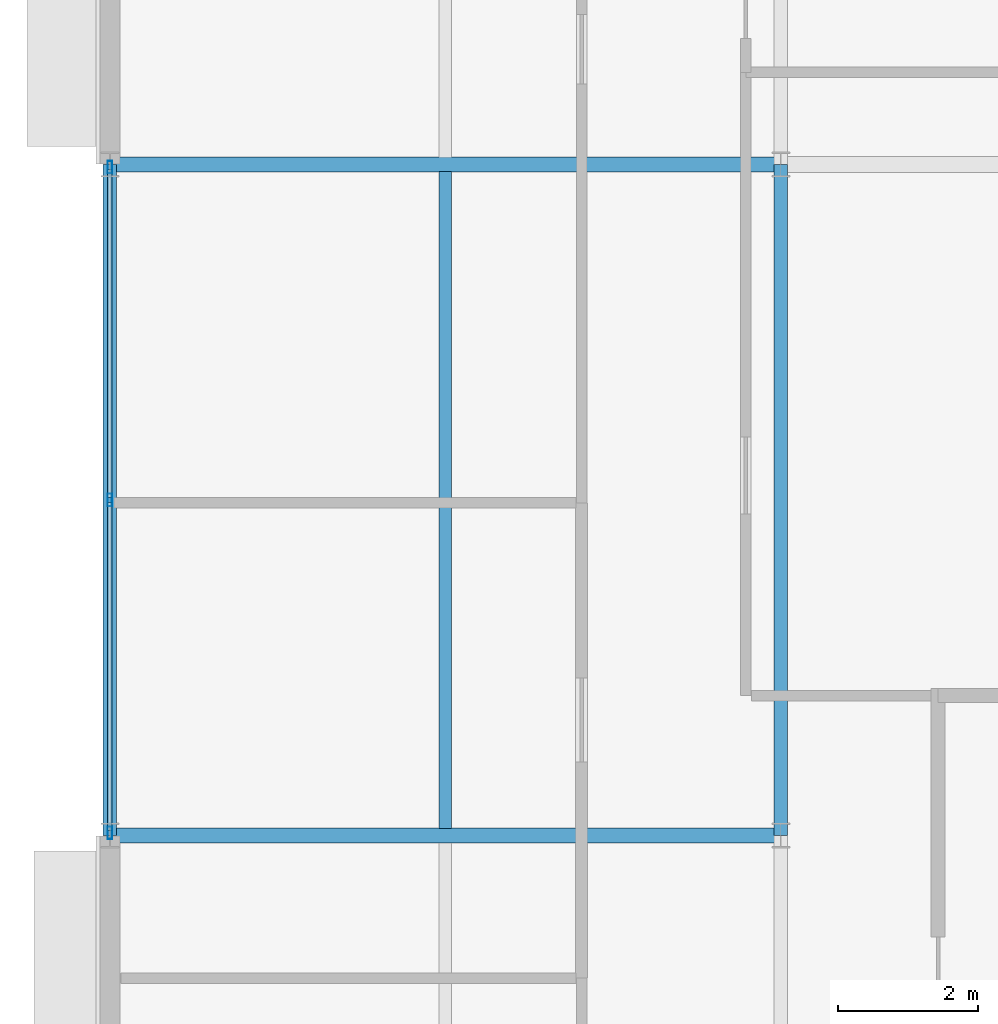
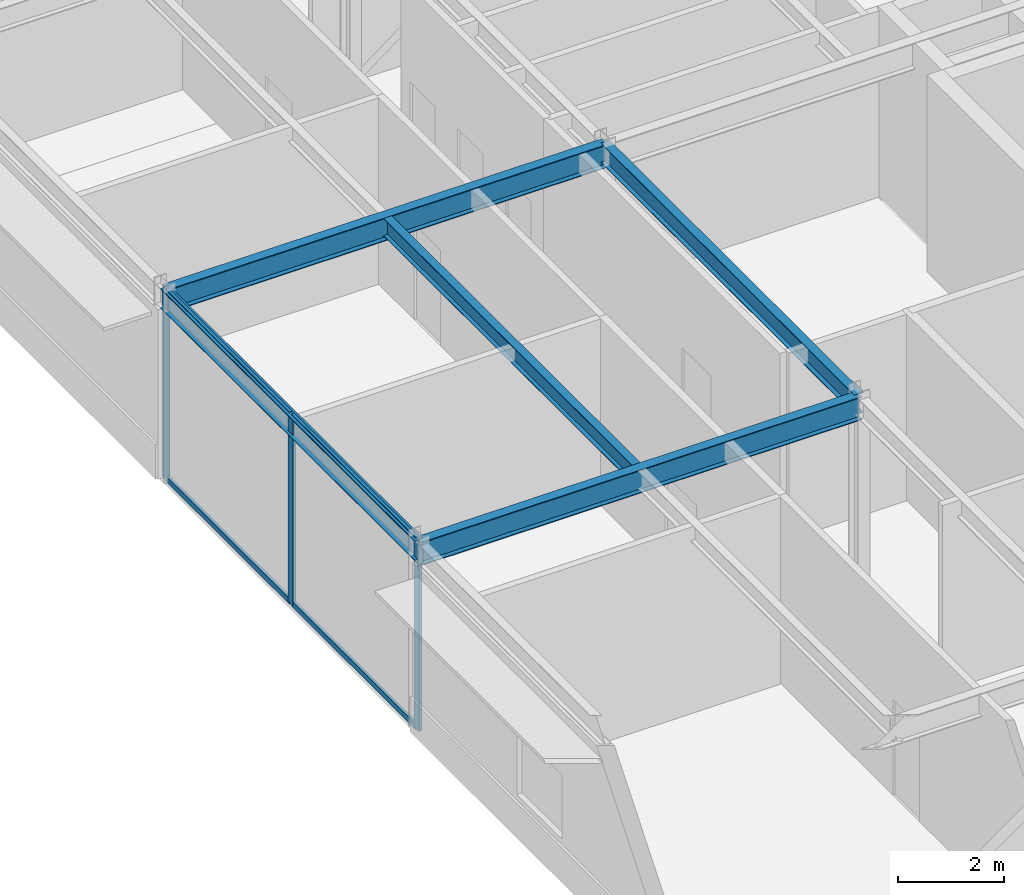
# One storey, part 4 of 17: 7 members, 5 beams, 1 element without a shape of its own.
"""IFC4 building model written with IfcOpenShell, lengths in metres."""

from ifc_helpers import new_model, si_unit, direction, frame, origin, origin_2d, place, context, subcontext, project, spatial, hollow_rectangle, i_section, extrude, material, material_profile, profile_set, type_object, element, aggregate, save


model = new_model("IFC4")

# Units and contexts
model_context = context("Model", 3, precision=1e-05, world=origin(), true_north=direction((0.0, 1.0)))
body_context = subcontext(model_context, "Body", "Model", "MODEL_VIEW")
ifc_project = project(units=[si_unit("LENGTHUNIT", "METRE"), si_unit("AREAUNIT", "SQUARE_METRE"), si_unit("VOLUMEUNIT", "CUBIC_METRE"), si_unit("PLANEANGLEUNIT", "RADIAN"), si_unit("MASSUNIT", "GRAM", prefix="KILO")], contexts=[model_context])

# Site, building, storey
site_placement = place(None, origin())
site = spatial("IfcSite", under=ifc_project, at=site_placement, CompositionType="ELEMENT")
building_placement = place(site_placement, origin())
building = spatial("IfcBuilding", under=site, at=building_placement, Name="Almandine Court Research Institute", CompositionType="ELEMENT")
storey_placement = place(building_placement, frame((0.0, 0.0, 32.550048828125)))
storey = spatial("IfcBuildingStorey", under=building, at=storey_placement, Name="L07", CompositionType="ELEMENT", Elevation=32.550048828125)

# Beams
ifc_material_1 = material(Name="Steel ASTM A992 Grade 50", Category="steel")
ifc_material_profile_1 = material_profile(ifc_material_1, i_section(OverallWidth=0.18994140625, OverallDepth=0.45703125, WebThickness=0.009033203125, FlangeThickness=0.014892578125, at=origin_2d()), Name="W460x74")
ifc_profile_set_1 = profile_set([ifc_material_profile_1], Name="Steel ASTM A992 Grade 50")
beam_type_1 = type_object("IfcBeamType", Name="Beam-B-01", PredefinedType="BEAM", material=ifc_profile_set_1)
for number, where, z_axis, x_axis, name in (
    (1, (153.60009765625, 25.199951171875, 4.156982421875), (0.0, 1.0, 0.0), (-1.0, 0.0, 0.0), "L07 V4 Primary Y Girder"),
    (2, (163.199951171875, 25.199951171875, 4.156982421875), (0.0, 1.0, 0.0), (-1.0, 0.0, 0.0), "L07 V4 Primary Y Girder"),
):
    element("IfcBeam", number, at=place(storey_placement, frame(where, z_axis=z_axis, x_axis=x_axis)), inside=storey, type_object=beam_type_1, Name=name, PredefinedType="BEAM", context=body_context, shape_type="SweptSolid", body=[
        extrude(i_section(OverallWidth=0.18994140625, OverallDepth=0.45703125, WebThickness=0.009033203125, FlangeThickness=0.014892578125, at=origin_2d()), origin(), (0.0, 0.0, 1.0), 9.60009765625),
    ])
ifc_material_profile_2 = material_profile(ifc_material_1, i_section(OverallWidth=0.178955078125, OverallDepth=0.409912109375, WebThickness=0.009033203125, FlangeThickness=0.013916015625, at=origin_2d()), Name="W410x67")
ifc_profile_set_2 = profile_set([ifc_material_profile_2], Name="Steel ASTM A992 Grade 50")
beam_type_2 = type_object("IfcBeamType", Name="Beam-B-02", PredefinedType="JOIST", material=ifc_profile_set_2)
beam_placement = place(storey_placement, frame((158.39990234375, 25.302978515625, 4.179931640625), z_axis=(0.0, 1.0, 0.0), x_axis=(-1.0, 0.0, 0.0)))
element("IfcBeam", 3, at=beam_placement, inside=storey, type_object=beam_type_2, Name="L07 V4 Composite Secondary Beam", PredefinedType="JOIST", context=body_context, shape_type="SweptSolid", body=[
    extrude(i_section(OverallWidth=0.178955078125, OverallDepth=0.409912109375, WebThickness=0.009033203125, FlangeThickness=0.013916015625, at=origin_2d()), origin(), (0.0, 0.0, 1.0), 9.39404296875),
])
ifc_material_profile_3 = material_profile(ifc_material_1, i_section(OverallWidth=0.2109375, OverallDepth=0.5390625, WebThickness=0.011962890625, FlangeThickness=0.01904296875, at=origin_2d()), Name="W530x109")
ifc_profile_set_3 = profile_set([ifc_material_profile_3], Name="Steel ASTM A992 Grade 50")
beam_type_3 = type_object("IfcBeamType", Name="Beam-G-04", PredefinedType="BEAM", material=ifc_profile_set_3)
for number, where, z_axis, x_axis, name in (
    (4, (153.60009765625, 25.199951171875, 4.115966796875), (1.0, 0.0, 0.0), (0.0, 1.0, 0.0), "L07 V4 Primary X Girder"),
    (5, (153.60009765625, 34.800048828125, 4.115966796875), (1.0, 0.0, 0.0), (0.0, 1.0, 0.0), "L07 V4 Primary X Girder"),
):
    element("IfcBeam", number, at=place(storey_placement, frame(where, z_axis=z_axis, x_axis=x_axis)), inside=storey, type_object=beam_type_3, Name=name, PredefinedType="BEAM", context=body_context, shape_type="SweptSolid", body=[
        extrude(i_section(OverallWidth=0.2109375, OverallDepth=0.5390625, WebThickness=0.011962890625, FlangeThickness=0.01904296875, at=origin_2d()), origin(), (0.0, 0.0, 1.0), 9.599853515625),
    ])

# Curtain wall, members
ifc_material_2 = material(Name="Unitised Curtain Wall Framing and Solar Glazing", Category="glass")
curtain_wall_type = type_object("IfcCurtainWallType", Name="CW-CWJ-09", PredefinedType="USERDEFINED", material=ifc_material_2)
curtain_wall_placement = place(storey_placement, origin())
curtain_wall = element("IfcCurtainWall", 6, at=curtain_wall_placement, inside=storey, type_object=curtain_wall_type, Name="L07 Wet Lab West Courtyard Jali Curtain Wall 3", ObjectType="SOLAR JALI SCREEN", PredefinedType="USERDEFINED")
ifc_material_3 = material(Name="Anodised Aluminium AW-6063-T6", Category="aluminium")
ifc_material_profile_4 = material_profile(ifc_material_3, hollow_rectangle(XDim=0.06494140625, YDim=0.179931640625, WallThickness=0.00390625, at=origin_2d()), Name="ALU RHS 65x180x4")
ifc_profile_set_4 = profile_set([ifc_material_profile_4], Name="Anodised Aluminium AW-6063-T6")
member_type_1 = type_object("IfcMemberType", Name="CWMul-65x180", PredefinedType="MULLION", material=ifc_profile_set_4)
member_1_placement = place(storey_placement, frame((153.60009765625, 25.236572265625, 0.0), z_axis=(0.0, 0.0, 1.0), x_axis=(-1.0, 0.0, 0.0)))
member_1 = element("IfcMember", 7, at=member_1_placement, type_object=member_type_1, Name="CWJ-09 mullion 1", PredefinedType="MULLION", context=body_context, shape_type="SweptSolid", body=[
    extrude(hollow_rectangle(XDim=0.06494140625, YDim=0.179931640625, WallThickness=0.00390625, at=origin_2d()), origin(), (0.0, 0.0, 1.0), 4.369873046875),
])
member_2_placement = place(storey_placement, frame((153.60009765625, 30.0, 0.0), z_axis=(0.0, 0.0, 1.0), x_axis=(-1.0, 0.0, 0.0)))
member_2 = element("IfcMember", 8, at=member_2_placement, type_object=member_type_1, Name="CWJ-09 mullion 2", PredefinedType="MULLION", context=body_context, shape_type="SweptSolid", body=[
    extrude(hollow_rectangle(XDim=0.06494140625, YDim=0.179931640625, WallThickness=0.00390625, at=origin_2d()), origin(), (0.0, 0.0, 1.0), 4.369873046875),
])
member_3_placement = place(storey_placement, frame((153.60009765625, 34.763427734375, 0.0), z_axis=(0.0, 0.0, 1.0), x_axis=(-1.0, 0.0, 0.0)))
member_3 = element("IfcMember", 9, at=member_3_placement, type_object=member_type_1, Name="CWJ-09 mullion 3", PredefinedType="MULLION", context=body_context, shape_type="SweptSolid", body=[
    extrude(hollow_rectangle(XDim=0.06494140625, YDim=0.179931640625, WallThickness=0.00390625, at=origin_2d()), origin(), (0.0, 0.0, 1.0), 4.369873046875),
])
ifc_material_profile_5 = material_profile(ifc_material_3, hollow_rectangle(XDim=0.06494140625, YDim=0.1298828125, WallThickness=0.00390625, at=origin_2d()), Name="ALU RHS 65x130x4")
ifc_profile_set_5 = profile_set([ifc_material_profile_5], Name="Anodised Aluminium AW-6063-T6")
member_type_2 = type_object("IfcMemberType", Name="CWTrn-65x130", PredefinedType="NOTDEFINED", material=ifc_profile_set_5)
member_4_placement = place(storey_placement, frame((153.60009765625, 25.26904296875, 0.032470703125), z_axis=(0.0, 1.0, 0.0), x_axis=(-1.0, 0.0, 0.0)))
member_4 = element("IfcMember", 10, at=member_4_placement, type_object=member_type_2, Name="CWJ-09 transom 1.1", ObjectType="TRANSOM", PredefinedType="USERDEFINED", context=body_context, shape_type="SweptSolid", body=[
    extrude(hollow_rectangle(XDim=0.06494140625, YDim=0.1298828125, WallThickness=0.00390625, at=origin_2d()), origin(), (0.0, 0.0, 1.0), 4.698486328125),
])
member_5_placement = place(storey_placement, frame((153.60009765625, 25.26904296875, 4.33740234375), z_axis=(0.0, 1.0, 0.0), x_axis=(-1.0, 0.0, 0.0)))
member_5 = element("IfcMember", 11, at=member_5_placement, type_object=member_type_2, Name="CWJ-09 transom 1.2", ObjectType="TRANSOM", PredefinedType="USERDEFINED", context=body_context, shape_type="SweptSolid", body=[
    extrude(hollow_rectangle(XDim=0.06494140625, YDim=0.1298828125, WallThickness=0.00390625, at=origin_2d()), origin(), (0.0, 0.0, 1.0), 4.698486328125),
])
member_6_placement = place(storey_placement, frame((153.60009765625, 30.032470703125, 0.032470703125), z_axis=(0.0, 1.0, 0.0), x_axis=(-1.0, 0.0, 0.0)))
member_6 = element("IfcMember", 12, at=member_6_placement, type_object=member_type_2, Name="CWJ-09 transom 2.1", ObjectType="TRANSOM", PredefinedType="USERDEFINED", context=body_context, shape_type="SweptSolid", body=[
    extrude(hollow_rectangle(XDim=0.06494140625, YDim=0.1298828125, WallThickness=0.00390625, at=origin_2d()), origin(), (0.0, 0.0, 1.0), 4.698486328125),
])
member_7_placement = place(storey_placement, frame((153.60009765625, 30.032470703125, 4.33740234375), z_axis=(0.0, 1.0, 0.0), x_axis=(-1.0, 0.0, 0.0)))
member_7 = element("IfcMember", 13, at=member_7_placement, type_object=member_type_2, Name="CWJ-09 transom 2.2", ObjectType="TRANSOM", PredefinedType="USERDEFINED", context=body_context, shape_type="SweptSolid", body=[
    extrude(hollow_rectangle(XDim=0.06494140625, YDim=0.1298828125, WallThickness=0.00390625, at=origin_2d()), origin(), (0.0, 0.0, 1.0), 4.698486328125),
])
aggregate(curtain_wall, [member_1, member_2, member_3, member_4, member_5, member_6, member_7])

save(model, "model.ifc")
